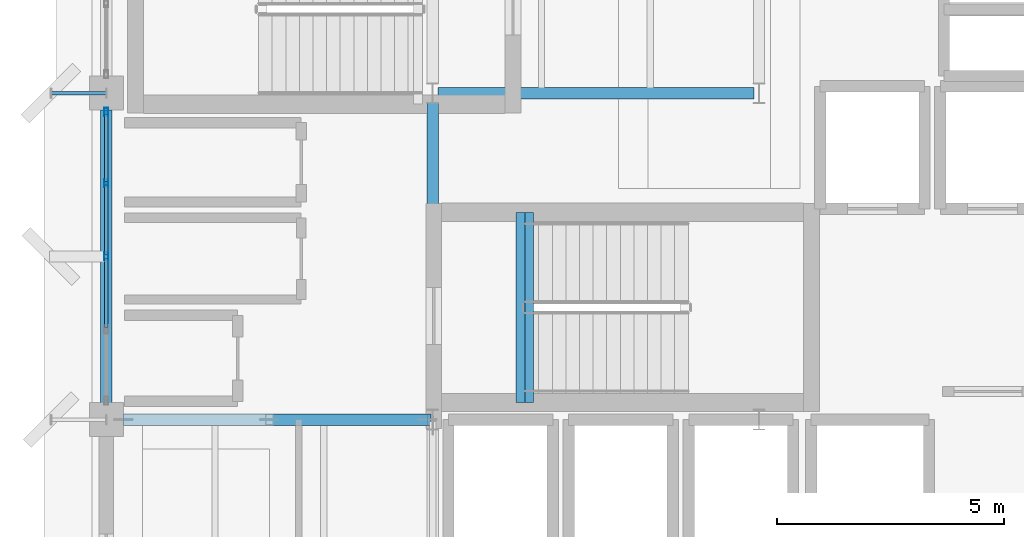
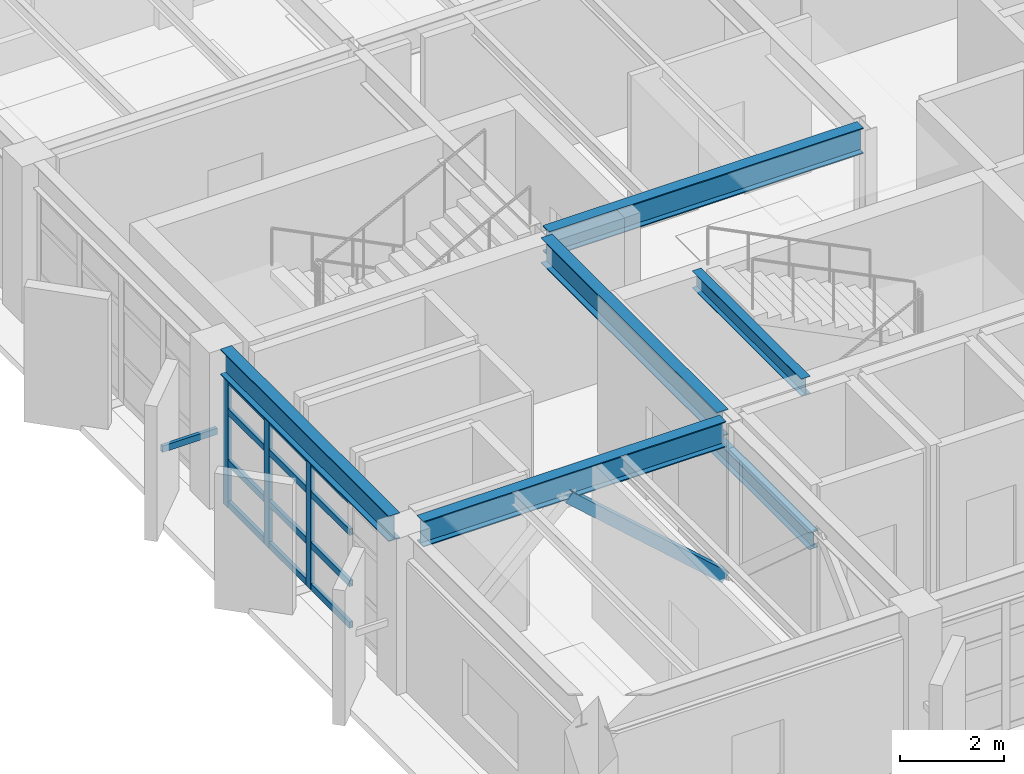
# One storey, part 5 of 24: 17 members, 6 beams, 1 element without a shape of its own.
"""IFC4 building model written with IfcOpenShell, lengths in metres."""

from ifc_helpers import new_model, si_unit, direction, frame, origin, origin_2d, place, context, subcontext, project, spatial, hollow_rectangle, i_section, extrude, material, layer, layer_set, material_profile, profile_set, type_object, element, aggregate, save


model = new_model("IFC4")

# Units and contexts
model_context = context("Model", 3, precision=1e-05, world=origin(), true_north=direction((0.0, 1.0)))
body_context = subcontext(model_context, "Body", "Model", "MODEL_VIEW")
ifc_project = project(units=[si_unit("LENGTHUNIT", "METRE"), si_unit("AREAUNIT", "SQUARE_METRE"), si_unit("VOLUMEUNIT", "CUBIC_METRE"), si_unit("PLANEANGLEUNIT", "RADIAN"), si_unit("MASSUNIT", "GRAM", prefix="KILO")], contexts=[model_context])

# Site, building, storey
site_placement = place(None, origin())
site = spatial("IfcSite", under=ifc_project, at=site_placement, CompositionType="ELEMENT")
building_placement = place(site_placement, origin())
building = spatial("IfcBuilding", under=site, at=building_placement, Name="Kandorven Conservatory and Botanical Research Centre", CompositionType="ELEMENT")
storey_placement = place(building_placement, frame((0.0, 0.0, 21.0)))
storey = spatial("IfcBuildingStorey", under=building, at=storey_placement, Name="L05", CompositionType="ELEMENT", Elevation=21.0)

# Beams
ifc_material_1 = material(Name="Steel S355 (IS 2062 E350)", Category="steel")
ifc_material_profile_1 = material_profile(ifc_material_1, i_section(OverallWidth=0.25, OverallDepth=0.60009765625, WebThickness=0.01171875, FlangeThickness=0.023681640625, at=origin_2d()))
ifc_profile_set_1 = profile_set([ifc_material_profile_1], Name="Steel S355 (IS 2062 E350)")
beam_type_1 = type_object("IfcBeamType", Name="Beam_FG-01", PredefinedType="USERDEFINED", material=ifc_profile_set_1)
beam_1_placement = place(storey_placement, frame((6.364990234375, 13.199951171875, 3.3701171875), z_axis=(1.0, 0.0, 0.0), x_axis=(0.0, 1.0, 0.0)))
element("IfcBeam", 1, at=beam_1_placement, inside=storey, type_object=beam_type_1, Name="Primary girder FG-01 TWR L05", ObjectType="GIRDER", PredefinedType="USERDEFINED", context=body_context, shape_type="SweptSolid", body=[
    extrude(i_section(OverallWidth=0.25, OverallDepth=0.60009765625, WebThickness=0.01171875, FlangeThickness=0.023681640625, at=origin_2d()), origin(), (0.0, 0.0, 1.0), 6.719970703125),
])
beam_2_placement = place(storey_placement, frame((13.31494140625, 20.39990234375, 3.3701171875), z_axis=(1.0, 0.0, 0.0), x_axis=(0.0, 1.0, 0.0)))
element("IfcBeam", 2, at=beam_2_placement, inside=storey, type_object=beam_type_1, Name="Primary girder FG-01 TWR L05", ObjectType="GIRDER", PredefinedType="USERDEFINED", context=body_context, shape_type="SweptSolid", body=[
    extrude(i_section(OverallWidth=0.25, OverallDepth=0.60009765625, WebThickness=0.01171875, FlangeThickness=0.023681640625, at=origin_2d()), origin(), (0.0, 0.0, 1.0), 6.969970703125),
])
beam_3_placement = place(storey_placement, frame((6.0, 13.56494140625, 3.3701171875), z_axis=(0.0, 1.0, 0.0), x_axis=(-1.0, 0.0, 0.0)))
element("IfcBeam", 3, at=beam_3_placement, inside=storey, type_object=beam_type_1, Name="Primary girder FG-01 TWR L05", ObjectType="GIRDER", PredefinedType="USERDEFINED", context=body_context, shape_type="SweptSolid", body=[
    extrude(i_section(OverallWidth=0.25, OverallDepth=0.60009765625, WebThickness=0.01171875, FlangeThickness=0.023681640625, at=origin_2d()), origin(), (0.0, 0.0, 1.0), 6.469970703125),
])
beam_4_placement = place(storey_placement, frame((13.199951171875, 13.4150390625, 3.3701171875), z_axis=(0.0, 1.0, 0.0), x_axis=(-1.0, 0.0, 0.0)))
element("IfcBeam", 4, at=beam_4_placement, inside=storey, type_object=beam_type_1, Name="Primary girder FG-01 TWR L05", ObjectType="GIRDER", PredefinedType="USERDEFINED", context=body_context, shape_type="SweptSolid", body=[
    extrude(i_section(OverallWidth=0.25, OverallDepth=0.60009765625, WebThickness=0.01171875, FlangeThickness=0.023681640625, at=origin_2d()), origin(), (0.0, 0.0, 1.0), 6.77001953125),
])
ifc_material_2 = material(Name="Steel S355 (IS 2062 E350)", Category="steel")
ifc_material_profile_2 = material_profile(ifc_material_2, i_section(OverallWidth=0.199951171875, OverallDepth=0.39990234375, WebThickness=0.008544921875, FlangeThickness=0.012939453125, at=origin_2d()))
ifc_profile_set_2 = profile_set([ifc_material_profile_2], Name="Steel S355 (IS 2062 E350)")
beam_type_2 = type_object("IfcBeamType", Name="Beam_FG-03", PredefinedType="USERDEFINED", material=ifc_profile_set_2)
for number, where, z_axis, x_axis, name in (
    (5, (15.320068359375, 13.580078125, -0.199951171875), (0.0, 1.0, 0.0), (-1.0, 0.0, 0.0), "Stair well bottom trimmer girder FG-03 ST-T1 L05"),
    (6, (15.139892578125, 13.580078125, 3.469970703125), (0.0, 1.0, 0.0), (-1.0, 0.0, 0.0), "Stair well top header girder FG-03 ST-T1 L05"),
):
    element("IfcBeam", number, at=place(storey_placement, frame(where, z_axis=z_axis, x_axis=x_axis)), inside=storey, type_object=beam_type_2, Name=name, ObjectType="GIRDER", PredefinedType="USERDEFINED", context=body_context, shape_type="SweptSolid", body=[
        extrude(i_section(OverallWidth=0.199951171875, OverallDepth=0.39990234375, WebThickness=0.008544921875, FlangeThickness=0.012939453125, at=origin_2d()), origin(), (0.0, 0.0, 1.0), 4.18994140625),
    ])

# Curtain wall, members
ifc_material_3 = material(Name="Bronze anodised thermally broken aluminium", Category="aluminium")
ifc_layer = layer(ifc_material_3, 0.179931640625)
ifc_layer_set = layer_set([ifc_layer], Name="Bronze anodised thermally broken aluminium")
curtain_wall_type = type_object("IfcCurtainWallType", Name="CW_Unitised", PredefinedType="USERDEFINED", material=ifc_layer_set)
curtain_wall_placement = place(storey_placement, origin())
curtain_wall = element("IfcCurtainWall", 7, at=curtain_wall_placement, inside=storey, type_object=curtain_wall_type, Name="Tower laboratory curtain wall CW-TWR-W-L05-2", ObjectType="UNITISED GLAZING", PredefinedType="USERDEFINED")
ifc_material_4 = material(Name="Bronze anodised thermally broken aluminium", Category="aluminium")
ifc_material_profile_3 = material_profile(ifc_material_4, hollow_rectangle(XDim=0.080078125, YDim=0.179931640625, WallThickness=0.006103515625, at=origin_2d()))
ifc_profile_set_3 = profile_set([ifc_material_profile_3], Name="Bronze anodised thermally broken aluminium")
member_type_1 = type_object("IfcMemberType", Name="CW_Mullion", PredefinedType="MULLION", material=ifc_profile_set_3)
member_1_placement = place(storey_placement, frame((6.0, 16.800048828125, 0.0), z_axis=(0.0, 0.0, 1.0), x_axis=(-1.0, 0.0, 0.0)))
member_1 = element("IfcMember", 8, at=member_1_placement, type_object=member_type_1, Name="CW-01 mullion 3", PredefinedType="MULLION", context=body_context, shape_type="SweptSolid", body=[
    extrude(hollow_rectangle(XDim=0.080078125, YDim=0.179931640625, WallThickness=0.006103515625, at=origin_2d()), origin(), (0.0, 0.0, 1.0), 3.050048828125),
])
member_2_placement = place(storey_placement, frame((6.0, 18.41259765625, 0.0), z_axis=(0.0, 0.0, 1.0), x_axis=(-1.0, 0.0, 0.0)))
member_2 = element("IfcMember", 9, at=member_2_placement, type_object=member_type_1, Name="CW-01 mullion 4", PredefinedType="MULLION", context=body_context, shape_type="SweptSolid", body=[
    extrude(hollow_rectangle(XDim=0.080078125, YDim=0.179931640625, WallThickness=0.006103515625, at=origin_2d()), origin(), (0.0, 0.0, 1.0), 3.050048828125),
])
member_3_placement = place(storey_placement, frame((6.0, 19.985107421875, 0.0), z_axis=(0.0, 0.0, 1.0), x_axis=(-1.0, 0.0, 0.0)))
member_3 = element("IfcMember", 10, at=member_3_placement, type_object=member_type_1, Name="CW-01 mullion 5", PredefinedType="MULLION", context=body_context, shape_type="SweptSolid", body=[
    extrude(hollow_rectangle(XDim=0.080078125, YDim=0.179931640625, WallThickness=0.006103515625, at=origin_2d()), origin(), (0.0, 0.0, 1.0), 3.050048828125),
])
ifc_material_5 = material(Name="Bronze anodised thermally broken aluminium", Category="aluminium")
ifc_material_profile_4 = material_profile(ifc_material_5, hollow_rectangle(XDim=0.074951171875, YDim=0.14990234375, WallThickness=0.006103515625, at=origin_2d()))
ifc_profile_set_4 = profile_set([ifc_material_profile_4], Name="Bronze anodised thermally broken aluminium")
member_type_2 = type_object("IfcMemberType", Name="CW_Transom", PredefinedType="USERDEFINED", material=ifc_profile_set_4)
member_4_placement = place(storey_placement, frame((6.0, 15.2275390625, 0.074951171875), z_axis=(0.0, 1.0, 0.0), x_axis=(-1.0, 0.0, 0.0)))
member_4 = element("IfcMember", 11, at=member_4_placement, type_object=member_type_2, Name="CW-01 transom 2.1", ObjectType="TRANSOM", PredefinedType="USERDEFINED", context=body_context, shape_type="SweptSolid", body=[
    extrude(hollow_rectangle(XDim=0.074951171875, YDim=0.14990234375, WallThickness=0.006103515625, at=origin_2d()), origin(), (0.0, 0.0, 1.0), 1.532470703125),
])
member_5_placement = place(storey_placement, frame((6.0, 15.2275390625, 1.050048828125), z_axis=(0.0, 1.0, 0.0), x_axis=(-1.0, 0.0, 0.0)))
member_5 = element("IfcMember", 12, at=member_5_placement, type_object=member_type_2, Name="CW-01 transom 2.2", ObjectType="TRANSOM", PredefinedType="USERDEFINED", context=body_context, shape_type="SweptSolid", body=[
    extrude(hollow_rectangle(XDim=0.074951171875, YDim=0.14990234375, WallThickness=0.006103515625, at=origin_2d()), origin(), (0.0, 0.0, 1.0), 1.532470703125),
])
member_6_placement = place(storey_placement, frame((6.0, 15.2275390625, 2.25), z_axis=(0.0, 1.0, 0.0), x_axis=(-1.0, 0.0, 0.0)))
member_6 = element("IfcMember", 13, at=member_6_placement, type_object=member_type_2, Name="CW-01 transom 2.3", ObjectType="TRANSOM", PredefinedType="USERDEFINED", context=body_context, shape_type="SweptSolid", body=[
    extrude(hollow_rectangle(XDim=0.074951171875, YDim=0.14990234375, WallThickness=0.006103515625, at=origin_2d()), origin(), (0.0, 0.0, 1.0), 1.532470703125),
])
member_7_placement = place(storey_placement, frame((6.0, 15.2275390625, 2.97509765625), z_axis=(0.0, 1.0, 0.0), x_axis=(-1.0, 0.0, 0.0)))
member_7 = element("IfcMember", 14, at=member_7_placement, type_object=member_type_2, Name="CW-01 transom 2.4", ObjectType="TRANSOM", PredefinedType="USERDEFINED", context=body_context, shape_type="SweptSolid", body=[
    extrude(hollow_rectangle(XDim=0.074951171875, YDim=0.14990234375, WallThickness=0.006103515625, at=origin_2d()), origin(), (0.0, 0.0, 1.0), 1.532470703125),
])
member_8_placement = place(storey_placement, frame((6.0, 16.840087890625, 0.074951171875), z_axis=(0.0, 1.0, 0.0), x_axis=(-1.0, 0.0, 0.0)))
member_8 = element("IfcMember", 15, at=member_8_placement, type_object=member_type_2, Name="CW-01 transom 3.1", ObjectType="TRANSOM", PredefinedType="USERDEFINED", context=body_context, shape_type="SweptSolid", body=[
    extrude(hollow_rectangle(XDim=0.074951171875, YDim=0.14990234375, WallThickness=0.006103515625, at=origin_2d()), origin(), (0.0, 0.0, 1.0), 1.532470703125),
])
member_9_placement = place(storey_placement, frame((6.0, 16.840087890625, 1.050048828125), z_axis=(0.0, 1.0, 0.0), x_axis=(-1.0, 0.0, 0.0)))
member_9 = element("IfcMember", 16, at=member_9_placement, type_object=member_type_2, Name="CW-01 transom 3.2", ObjectType="TRANSOM", PredefinedType="USERDEFINED", context=body_context, shape_type="SweptSolid", body=[
    extrude(hollow_rectangle(XDim=0.074951171875, YDim=0.14990234375, WallThickness=0.006103515625, at=origin_2d()), origin(), (0.0, 0.0, 1.0), 1.532470703125),
])
member_10_placement = place(storey_placement, frame((6.0, 16.840087890625, 2.25), z_axis=(0.0, 1.0, 0.0), x_axis=(-1.0, 0.0, 0.0)))
member_10 = element("IfcMember", 17, at=member_10_placement, type_object=member_type_2, Name="CW-01 transom 3.3", ObjectType="TRANSOM", PredefinedType="USERDEFINED", context=body_context, shape_type="SweptSolid", body=[
    extrude(hollow_rectangle(XDim=0.074951171875, YDim=0.14990234375, WallThickness=0.006103515625, at=origin_2d()), origin(), (0.0, 0.0, 1.0), 1.532470703125),
])
member_11_placement = place(storey_placement, frame((6.0, 16.840087890625, 2.97509765625), z_axis=(0.0, 1.0, 0.0), x_axis=(-1.0, 0.0, 0.0)))
member_11 = element("IfcMember", 18, at=member_11_placement, type_object=member_type_2, Name="CW-01 transom 3.4", ObjectType="TRANSOM", PredefinedType="USERDEFINED", context=body_context, shape_type="SweptSolid", body=[
    extrude(hollow_rectangle(XDim=0.074951171875, YDim=0.14990234375, WallThickness=0.006103515625, at=origin_2d()), origin(), (0.0, 0.0, 1.0), 1.532470703125),
])
member_12_placement = place(storey_placement, frame((6.0, 18.452392578125, 0.074951171875), z_axis=(0.0, 1.0, 0.0), x_axis=(-1.0, 0.0, 0.0)))
member_12 = element("IfcMember", 19, at=member_12_placement, type_object=member_type_2, Name="CW-01 transom 4.1", ObjectType="TRANSOM", PredefinedType="USERDEFINED", context=body_context, shape_type="SweptSolid", body=[
    extrude(hollow_rectangle(XDim=0.074951171875, YDim=0.14990234375, WallThickness=0.006103515625, at=origin_2d()), origin(), (0.0, 0.0, 1.0), 1.49267578125),
])
member_13_placement = place(storey_placement, frame((6.0, 18.452392578125, 1.050048828125), z_axis=(0.0, 1.0, 0.0), x_axis=(-1.0, 0.0, 0.0)))
member_13 = element("IfcMember", 20, at=member_13_placement, type_object=member_type_2, Name="CW-01 transom 4.2", ObjectType="TRANSOM", PredefinedType="USERDEFINED", context=body_context, shape_type="SweptSolid", body=[
    extrude(hollow_rectangle(XDim=0.074951171875, YDim=0.14990234375, WallThickness=0.006103515625, at=origin_2d()), origin(), (0.0, 0.0, 1.0), 1.49267578125),
])
member_14_placement = place(storey_placement, frame((6.0, 18.452392578125, 2.25), z_axis=(0.0, 1.0, 0.0), x_axis=(-1.0, 0.0, 0.0)))
member_14 = element("IfcMember", 21, at=member_14_placement, type_object=member_type_2, Name="CW-01 transom 4.3", ObjectType="TRANSOM", PredefinedType="USERDEFINED", context=body_context, shape_type="SweptSolid", body=[
    extrude(hollow_rectangle(XDim=0.074951171875, YDim=0.14990234375, WallThickness=0.006103515625, at=origin_2d()), origin(), (0.0, 0.0, 1.0), 1.49267578125),
])
member_15_placement = place(storey_placement, frame((6.0, 18.452392578125, 2.97509765625), z_axis=(0.0, 1.0, 0.0), x_axis=(-1.0, 0.0, 0.0)))
member_15 = element("IfcMember", 22, at=member_15_placement, type_object=member_type_2, Name="CW-01 transom 4.4", ObjectType="TRANSOM", PredefinedType="USERDEFINED", context=body_context, shape_type="SweptSolid", body=[
    extrude(hollow_rectangle(XDim=0.074951171875, YDim=0.14990234375, WallThickness=0.006103515625, at=origin_2d()), origin(), (0.0, 0.0, 1.0), 1.49267578125),
])
aggregate(curtain_wall, [member_1, member_2, member_3, member_4, member_5, member_6, member_7, member_8, member_9, member_10, member_11, member_12, member_13, member_14, member_15])

# Members
ifc_material_6 = material(Name="Steel S355 (IS 2062 E350)", Category="steel")
ifc_material_profile_5 = material_profile(ifc_material_6, hollow_rectangle(XDim=0.25, YDim=0.25, WallThickness=0.011962890625, at=origin_2d()))
ifc_profile_set_5 = profile_set([ifc_material_profile_5], Name="Steel S355 (IS 2062 E350)")
member_type_3 = type_object("IfcMemberType", Name="Mem_BR-02", PredefinedType="BRACE", material=ifc_profile_set_5)
member_16_placement = place(storey_placement, frame((13.074951171875, 13.199951171875, 0.0), z_axis=(-0.746198996931, 0.0, 0.665722958128), x_axis=(0.0, -1.0, 0.0)))
element("IfcMember", 23, at=member_16_placement, inside=storey, type_object=member_type_3, Name="Tower lateral chevron brace BR-02 L05 E", PredefinedType="BRACE", context=body_context, shape_type="SweptSolid", body=[
    extrude(hollow_rectangle(XDim=0.25, YDim=0.25, WallThickness=0.011962890625, at=origin_2d()), origin(), (0.0, 0.0, 1.0), 4.65673828125),
])
ifc_material_7 = material(Name="Steel S355 (IS 2062 E350)", Category="steel")
ifc_material_profile_6 = material_profile(ifc_material_7, hollow_rectangle(XDim=0.074951171875, YDim=0.14990234375, WallThickness=0.006103515625, at=origin_2d()))
ifc_profile_set_6 = profile_set([ifc_material_profile_6], Name="Steel S355 (IS 2062 E350)")
member_type_4 = type_object("IfcMemberType", Name="Mem_SF-01", PredefinedType="STRUT", material=ifc_profile_set_6)
member_17_placement = place(storey_placement, frame((6.0, 20.39990234375, 1.5), z_axis=(-1.0, 0.0, 0.0), x_axis=(0.0, -1.0, 0.0)))
element("IfcMember", 24, at=member_17_placement, inside=storey, type_object=member_type_4, Name="Solar fin steel outrigger strut SF-01 #53", PredefinedType="STRUT", context=body_context, shape_type="SweptSolid", body=[
    extrude(hollow_rectangle(XDim=0.074951171875, YDim=0.14990234375, WallThickness=0.006103515625, at=origin_2d()), origin(), (0.0, 0.0, 1.0), 1.219970703125),
])

save(model, "model.ifc")
